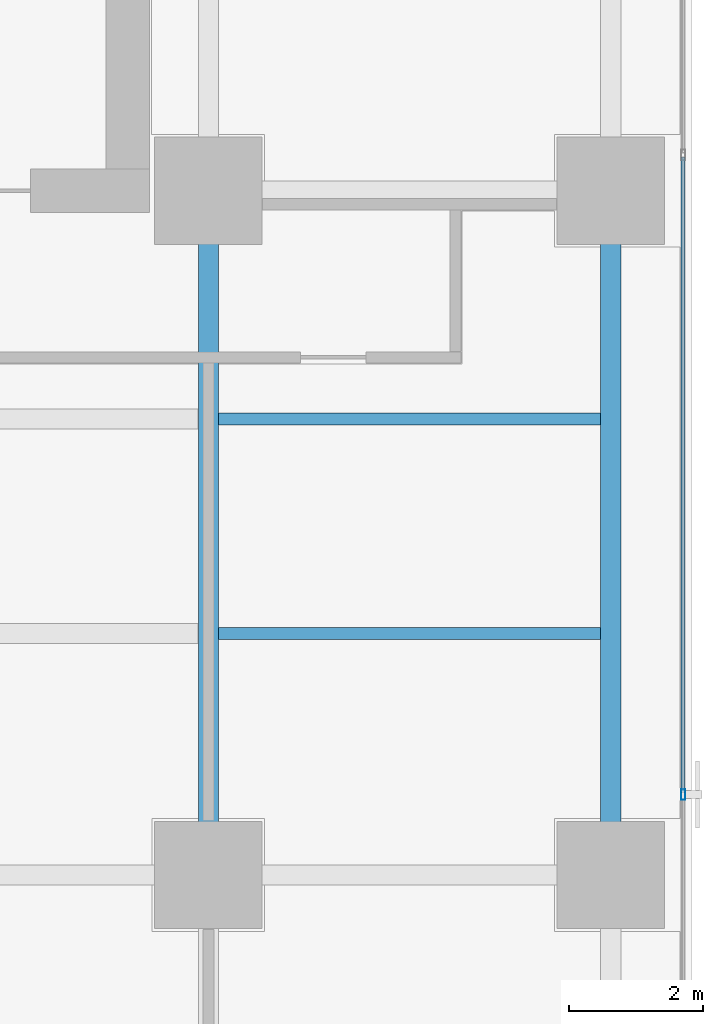
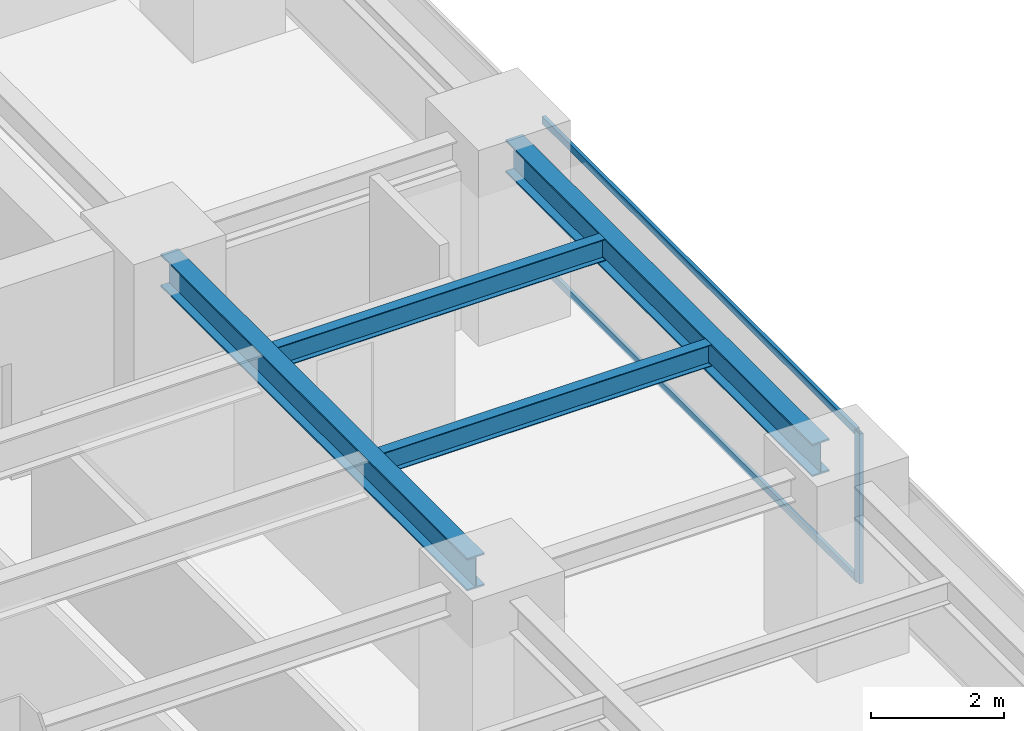
# One storey, part 13 of 27: 4 beams, 3 members, 1 element without a shape of its own.
"""IFC4 building model written with IfcOpenShell, lengths in metres."""

from ifc_helpers import new_model, si_unit, direction, frame, origin, origin_2d, place, context, subcontext, project, spatial, hollow_rectangle, i_section, extrude, source, transform, mapped, material, layer, layer_set, material_profile, profile_set, type_object, element, aggregate, save


model = new_model("IFC4")

# Units and contexts
model_context = context("Model", 3, precision=1e-05, world=origin(), true_north=direction((0.0, 1.0)))
body_context = subcontext(model_context, "Body", "Model", "MODEL_VIEW")
ifc_project = project(units=[si_unit("LENGTHUNIT", "METRE"), si_unit("AREAUNIT", "SQUARE_METRE"), si_unit("VOLUMEUNIT", "CUBIC_METRE"), si_unit("PLANEANGLEUNIT", "RADIAN"), si_unit("MASSUNIT", "GRAM", prefix="KILO")], contexts=[model_context])

# Site, building, storey
site_placement = place(None, origin())
site = spatial("IfcSite", under=ifc_project, at=site_placement, CompositionType="ELEMENT")
building_placement = place(site_placement, origin())
building = spatial("IfcBuilding", under=site, at=building_placement, Name="Sumidabori Civic Tower", CompositionType="ELEMENT")
storey_placement = place(building_placement, frame((0.0, 0.0, 164.0)))
storey = spatial("IfcBuildingStorey", under=building, at=storey_placement, Name="L42", CompositionType="ELEMENT", Elevation=164.0)

# Beams
ifc_material_1 = material(Name="Steel SN490", Category="steel")
ifc_material_profile_1 = material_profile(ifc_material_1, i_section(OverallWidth=0.300048828125, OverallDepth=0.60009765625, WebThickness=0.015380859375, FlangeThickness=0.030029296875, at=origin_2d()), Name="HE 600 B")
ifc_profile_set_1 = profile_set([ifc_material_profile_1], Name="Steel SN490")
beam_type_1 = type_object("IfcBeamType", Name="BM-GIRD-600", PredefinedType="BEAM", material=ifc_profile_set_1)
shared_shape_1 = source(origin(), body_context, "Body", "SweptSolid", [
    extrude(i_section(OverallWidth=0.300048828125, OverallDepth=0.60009765625, WebThickness=0.015380859375, FlangeThickness=0.030029296875, at=origin_2d()), origin(), (0.0, 0.0, 1.0), 9.239990234375),
])
for number, where, z_axis, x_axis, name in (
    (1, (16.800048828125, 0.47998046875, 3.080078125), (0.0, 1.0, 0.0), (-1.0, 0.0, 0.0), "Primary Girder L42 GY-34"),
    (2, (22.800048828125, 0.47998046875, 3.080078125), (0.0, 1.0, 0.0), (-1.0, 0.0, 0.0), "Primary Girder L42 GY-37"),
):
    element("IfcBeam", number, at=place(storey_placement, frame(where, z_axis=z_axis, x_axis=x_axis)), inside=storey, type_object=beam_type_1, Name=name, PredefinedType="BEAM", context=body_context, shape_type="MappedRepresentation", body=[
        mapped(shared_shape_1, transform((0.0, 0.0, 0.0), x_axis=(1.0, 0.0, 0.0), y_axis=(0.0, 1.0, 0.0), z_axis=(0.0, 0.0, 1.0), scale=1.0)),
    ])
ifc_material_profile_2 = material_profile(ifc_material_1, i_section(OverallWidth=0.179931640625, OverallDepth=0.39990234375, WebThickness=0.008544921875, FlangeThickness=0.013427734375, at=origin_2d()), Name="IPE 400")
ifc_profile_set_2 = profile_set([ifc_material_profile_2], Name="Steel SN490")
beam_type_2 = type_object("IfcBeamType", Name="BM-JST-400", PredefinedType="JOIST", material=ifc_profile_set_2)
shared_shape_2 = source(origin(), body_context, "Body", "SweptSolid", [
    extrude(i_section(OverallWidth=0.179931640625, OverallDepth=0.39990234375, WebThickness=0.008544921875, FlangeThickness=0.013427734375, at=origin_2d()), origin(), (0.0, 0.0, 1.0), 5.699951171875),
])
for number, where, z_axis, x_axis, name in (
    (3, (16.949951171875, 3.60009765625, 3.179931640625), (1.0, 0.0, 0.0), (0.0, 1.0, 0.0), "Outer Bay Floor Joist L42 JSTO-44"),
    (4, (16.949951171875, 6.800048828125, 3.179931640625), (1.0, 0.0, 0.0), (0.0, 1.0, 0.0), "Outer Bay Floor Joist L42 JSTO-46"),
):
    element("IfcBeam", number, at=place(storey_placement, frame(where, z_axis=z_axis, x_axis=x_axis)), inside=storey, type_object=beam_type_2, Name=name, PredefinedType="JOIST", context=body_context, shape_type="MappedRepresentation", body=[
        mapped(shared_shape_2, transform((0.0, 0.0, 0.0), x_axis=(1.0, 0.0, 0.0), y_axis=(0.0, 1.0, 0.0), z_axis=(0.0, 0.0, 1.0), scale=1.0)),
    ])

# Curtain wall, members
ifc_material_2 = material(Name="Anodised Bronze Aluminium AW-6063-T6", Category="aluminium")
ifc_layer = layer(ifc_material_2, 0.179931640625, Name="Anodised Bronze Aluminium AW-6063-T6")
ifc_layer_set = layer_set([ifc_layer], Name="Anodised Bronze Aluminium AW-6063-T6")
curtain_wall_type = type_object("IfcCurtainWallType", Name="CW-SYS-3", PredefinedType="NOTDEFINED", material=ifc_layer_set)
curtain_wall_placement = place(storey_placement, origin())
curtain_wall = element("IfcCurtainWall", 5, at=curtain_wall_placement, inside=storey, type_object=curtain_wall_type, Name="Curtain Wall CW:L42:R04", PredefinedType="NOTDEFINED")
ifc_material_profile_3 = material_profile(ifc_material_2, hollow_rectangle(XDim=0.06494140625, YDim=0.159912109375, WallThickness=0.0048828125, at=origin_2d()), Name="ALU MULLION 160x65")
ifc_profile_set_3 = profile_set([ifc_material_profile_3], Name="Anodised Bronze Aluminium AW-6063-T6")
member_type_1 = type_object("IfcMemberType", Name="CW-MUL-160", PredefinedType="MULLION", material=ifc_profile_set_3)
shared_shape_3 = source(origin(), body_context, "Body", "SweptSolid", [
    extrude(hollow_rectangle(XDim=0.06494140625, YDim=0.159912109375, WallThickness=0.0048828125, at=origin_2d()), origin(), (0.0, 0.0, 1.0), 2.760009765625),
])
member_1_placement = place(storey_placement, frame((23.8798828125, 1.199951171875, 0.0), z_axis=(0.0, 0.0, 1.0), x_axis=(-1.0, 0.0, 0.0)))
member_1 = element("IfcMember", 6, at=member_1_placement, type_object=member_type_1, Name="CW-3 mullion 3", PredefinedType="MULLION", context=body_context, shape_type="MappedRepresentation", body=[
    mapped(shared_shape_3, transform((0.0, 0.0, 0.0), x_axis=(1.0, 0.0, 0.0), y_axis=(0.0, 1.0, 0.0), z_axis=(0.0, 0.0, 1.0), scale=1.0)),
])
ifc_material_profile_4 = material_profile(ifc_material_2, hollow_rectangle(XDim=0.06005859375, YDim=0.1298828125, WallThickness=0.0048828125, at=origin_2d()), Name="ALU TRANSOM 130x60")
ifc_profile_set_4 = profile_set([ifc_material_profile_4], Name="Anodised Bronze Aluminium AW-6063-T6")
member_type_2 = type_object("IfcMemberType", Name="CW-TRN-130", PredefinedType="USERDEFINED", material=ifc_profile_set_4)
shared_shape_4 = source(origin(), body_context, "Body", "SweptSolid", [
    extrude(hollow_rectangle(XDim=0.06005859375, YDim=0.1298828125, WallThickness=0.0048828125, at=origin_2d()), origin(), (0.0, 0.0, 1.0), 9.469970703125),
])
member_2_placement = place(storey_placement, frame((23.8798828125, 1.232421875, 0.030029296875), z_axis=(0.0, 1.0, 0.0), x_axis=(-1.0, 0.0, 0.0)))
member_2 = element("IfcMember", 7, at=member_2_placement, type_object=member_type_2, Name="CW-3 transom 3.1", ObjectType="TRANSOM", PredefinedType="USERDEFINED", context=body_context, shape_type="MappedRepresentation", body=[
    mapped(shared_shape_4, transform((0.0, 0.0, 0.0), x_axis=(1.0, 0.0, 0.0), y_axis=(0.0, 1.0, 0.0), z_axis=(0.0, 0.0, 1.0), scale=1.0)),
])
member_3_placement = place(storey_placement, frame((23.8798828125, 1.232421875, 2.72998046875), z_axis=(0.0, 1.0, 0.0), x_axis=(-1.0, 0.0, 0.0)))
member_3 = element("IfcMember", 8, at=member_3_placement, type_object=member_type_2, Name="CW-3 transom 3.2", ObjectType="TRANSOM", PredefinedType="USERDEFINED", context=body_context, shape_type="MappedRepresentation", body=[
    mapped(shared_shape_4, transform((0.0, 0.0, 0.0), x_axis=(1.0, 0.0, 0.0), y_axis=(0.0, 1.0, 0.0), z_axis=(0.0, 0.0, 1.0), scale=1.0)),
])
aggregate(curtain_wall, [member_1, member_2, member_3])

save(model, "model.ifc")
